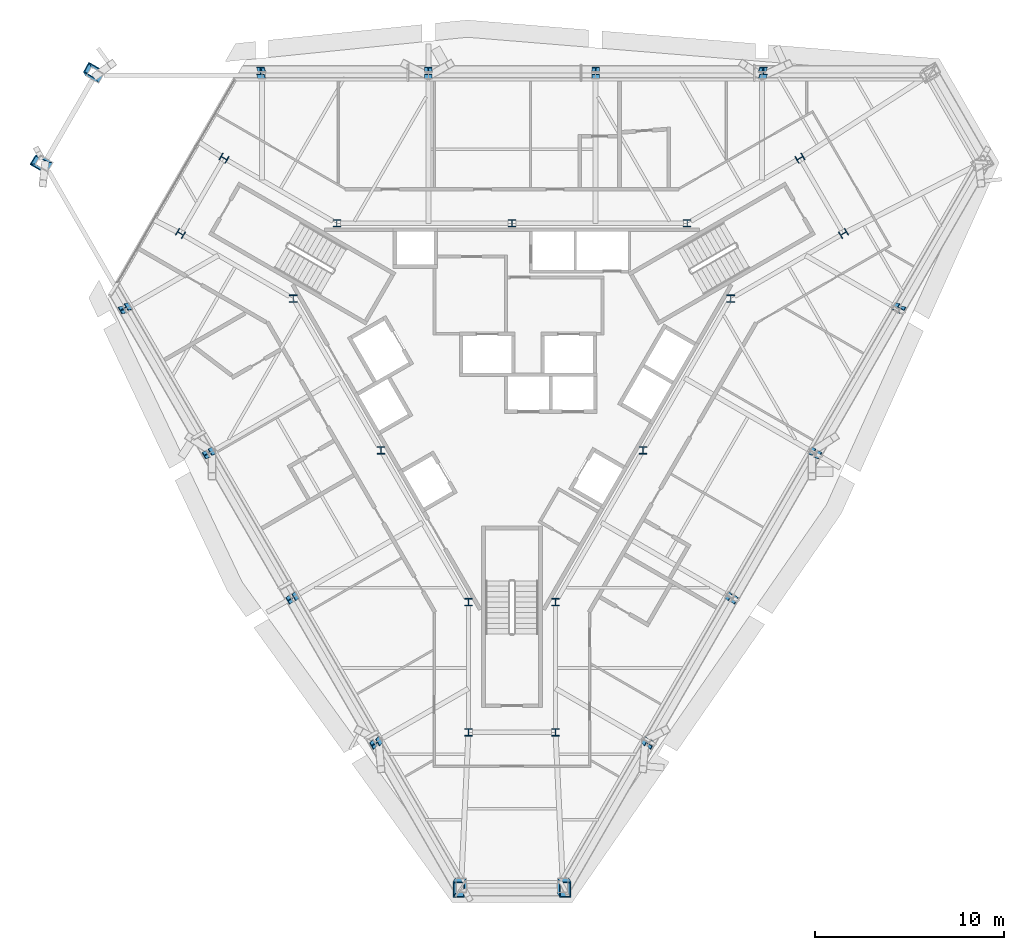
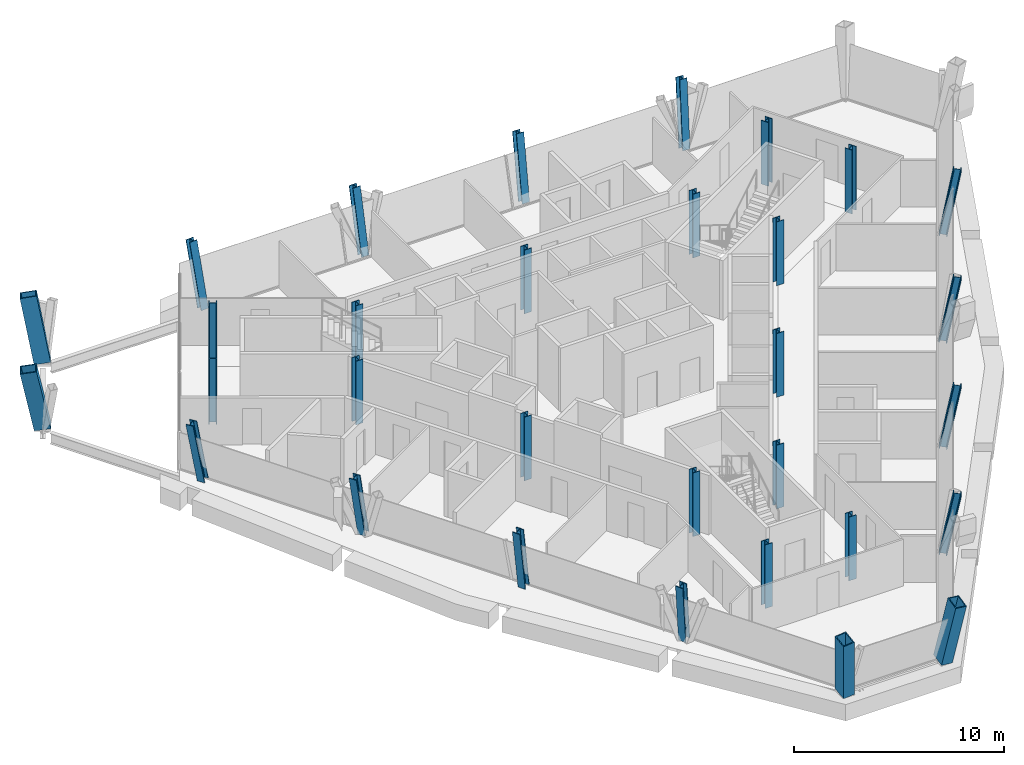
# One storey, part 1 of 11: 31 columns.
"""IFC4 building model written with IfcOpenShell, lengths in metres."""

from ifc_helpers import new_model, si_unit, direction, frame, origin, origin_2d, place, context, subcontext, project, spatial, hollow_rectangle, i_section, extrude, material, material_profile, profile_set, type_object, element, save


model = new_model("IFC4")

# Units and contexts
model_context = context("Model", 3, precision=1e-05, world=origin(), true_north=direction((0.0, 1.0)))
body_context = subcontext(model_context, "Body", "Model", "MODEL_VIEW")
ifc_project = project(units=[si_unit("LENGTHUNIT", "METRE"), si_unit("AREAUNIT", "SQUARE_METRE"), si_unit("VOLUMEUNIT", "CUBIC_METRE"), si_unit("PLANEANGLEUNIT", "RADIAN"), si_unit("MASSUNIT", "GRAM", prefix="KILO")], contexts=[model_context])

# Site, building, storey
site_placement = place(None, origin())
site = spatial("IfcSite", under=ifc_project, at=site_placement, CompositionType="ELEMENT")
building_placement = place(site_placement, origin())
building = spatial("IfcBuilding", under=site, at=building_placement, Name="Verrane Prism Tower", CompositionType="ELEMENT")
storey_placement = place(building_placement, frame((0.0, 0.0, 232.300048828125)))
storey = spatial("IfcBuildingStorey", under=building, at=storey_placement, Name="L58", CompositionType="ELEMENT", Elevation=232.300048828125)

# Columns
ifc_material_1 = material(Name="Steel A992", Category="steel")
ifc_material_profile_1 = material_profile(ifc_material_1, i_section(OverallWidth=0.4013671875, OverallDepth=0.398681640625, WebThickness=0.02490234375, FlangeThickness=0.03955078125, FilletRadius=0.01513671875, at=origin_2d()), Name="W14x211")
ifc_profile_set_1 = profile_set([ifc_material_profile_1], Name="Steel A992")
column_type_1 = type_object("IfcColumnType", Name="Core corner column W14x211", PredefinedType="COLUMN", material=ifc_profile_set_1)
for number, where, z_axis, x_axis, name in (
    (1, (17.52001953125, 7.4599609375, 0.0), (0.0, 0.0, 1.0), (0.5, -0.866025403784, 0.0), "Core corner column CK-NEm L58"),
    (2, (15.219970703125, 11.43994140625, 0.0), (0.0, 0.0, 1.0), (0.5, -0.866025403784, 0.0), "Core corner column CK-NEp L58"),
    (3, (-15.219970703125, 11.43994140625, 0.0), (0.0, 0.0, 1.0), (0.5, 0.866025403784, 0.0), "Core corner column CK-NWm L58"),
    (4, (-17.52001953125, 7.4599609375, 0.0), (0.0, 0.0, 1.0), (0.5, 0.866025403784, 0.0), "Core corner column CK-NWp L58"),
    (5, (-2.300048828125, -18.89990234375, 0.0), (0.0, 0.0, 1.0), (-1.0, 0.0, 0.0), "Core corner column CK-Sm L58"),
    (6, (2.300048828125, -18.89990234375, 0.0), (0.0, 0.0, 1.0), (-1.0, 0.0, 0.0), "Core corner column CK-Sp L58"),
):
    element("IfcColumn", number, at=place(storey_placement, frame(where, z_axis=z_axis, x_axis=x_axis)), inside=storey, type_object=column_type_1, Name=name, PredefinedType="COLUMN", context=body_context, shape_type="SweptSolid", body=[
        extrude(i_section(OverallWidth=0.4013671875, OverallDepth=0.398681640625, WebThickness=0.02490234375, FlangeThickness=0.03955078125, FilletRadius=0.01513671875, at=origin_2d()), origin(), (0.0, 0.0, 1.0), 3.699951171875),
    ])
ifc_material_2 = material(Name="Steel A992", Category="steel")
ifc_material_profile_2 = material_profile(ifc_material_2, i_section(OverallWidth=0.398681640625, OverallDepth=0.385986328125, WebThickness=0.02099609375, FlangeThickness=0.033203125, FilletRadius=0.01513671875, at=origin_2d()), Name="W14x176")
ifc_profile_set_2 = profile_set([ifc_material_profile_2], Name="Steel A992")
column_type_2 = type_object("IfcColumnType", Name="Core side column W14x176", PredefinedType="COLUMN", material=ifc_profile_set_2)
for number, where, z_axis, x_axis, name in (
    (7, (11.56005859375, 4.02001953125, 0.0), (0.0, 0.0, 1.0), (1.0, 0.0, 0.0), "Core side column CC-NEm L58"),
    (8, (9.260009765625, 8.0, 0.0), (0.0, 0.0, 1.0), (1.0, 0.0, 0.0), "Core side column CC-NEp L58"),
    (9, (0.0, 8.0, 0.0), (0.0, 0.0, 1.0), (1.0, 0.0, 0.0), "Core side column CC-N0 L58"),
    (10, (-9.260009765625, 8.0, 0.0), (0.0, 0.0, 1.0), (1.0, 0.0, 0.0), "Core side column CC-NWm L58"),
    (11, (-11.56005859375, 4.02001953125, 0.0), (0.0, 0.0, 1.0), (1.0, 0.0, 0.0), "Core side column CC-NWp L58"),
    (12, (-6.929931640625, -4.0, 0.0), (0.0, 0.0, 1.0), (1.0, 0.0, 0.0), "Core side column CC-SW0 L58"),
    (13, (-2.300048828125, -12.02001953125, 0.0), (0.0, 0.0, 1.0), (1.0, 0.0, 0.0), "Core side column CC-Sm L58"),
    (14, (2.300048828125, -12.02001953125, 0.0), (0.0, 0.0, 1.0), (1.0, 0.0, 0.0), "Core side column CC-Sp L58"),
    (15, (6.929931640625, -4.0, 0.0), (0.0, 0.0, 1.0), (1.0, 0.0, 0.0), "Core side column CC-SE0 L58"),
):
    element("IfcColumn", number, at=place(storey_placement, frame(where, z_axis=z_axis, x_axis=x_axis)), inside=storey, type_object=column_type_2, Name=name, PredefinedType="COLUMN", context=body_context, shape_type="SweptSolid", body=[
        extrude(i_section(OverallWidth=0.398681640625, OverallDepth=0.385986328125, WebThickness=0.02099609375, FlangeThickness=0.033203125, FilletRadius=0.01513671875, at=origin_2d()), origin(), (0.0, 0.0, 1.0), 3.699951171875),
    ])
ifc_material_3 = material(Name="Steel A572 Grade 50", Category="steel")
ifc_material_profile_3 = material_profile(ifc_material_3, hollow_rectangle(XDim=0.60009765625, YDim=0.800048828125, WallThickness=0.050048828125, at=origin_2d()), Name="BOX 800x600x50")
ifc_profile_set_3 = profile_set([ifc_material_profile_3], Name="Steel A572 Grade 50")
column_type_3 = type_object("IfcColumnType", Name="Megacolumn BOX 800x600x50", PredefinedType="COLUMN", material=ifc_profile_set_3)
column_1_placement = place(storey_placement, frame((-22.037109375, 15.84228515625, 0.06494140625), z_axis=(-0.105639145209, 0.18481839067, 0.977078570776), x_axis=(0.496911060929, 0.860913522908, -0.109120592015)))
element("IfcColumn", 16, at=column_1_placement, inside=storey, type_object=column_type_3, Name="Megacolumn MC-NW.a L58", PredefinedType="COLUMN", context=body_context, shape_type="SweptSolid", body=[
    extrude(hollow_rectangle(XDim=0.60009765625, YDim=0.800048828125, WallThickness=0.050048828125, at=origin_2d()), origin(), (0.0, 0.0, 1.0), 3.65380859375),
])
column_2_placement = place(storey_placement, frame((-24.734130859375, 11.159912109375, 0.06494140625), z_axis=(-0.213902075885, 0.0, 0.976855107952), x_axis=(0.497026354192, 0.860883256594, 0.108833918219)))
element("IfcColumn", 17, at=column_2_placement, inside=storey, type_object=column_type_3, Name="Megacolumn MC-NW.b L58", PredefinedType="COLUMN", context=body_context, shape_type="SweptSolid", body=[
    extrude(hollow_rectangle(XDim=0.60009765625, YDim=0.800048828125, WallThickness=0.050048828125, at=origin_2d()), origin(), (0.0, 0.0, 1.0), 3.654541015625),
])
for number, where, z_axis, x_axis, name in (
    (18, (-2.697265625, -27.002197265625, 0.06494140625), (-0.10821355543, -0.184831424614, 0.976794333981), (-0.99391563537, -0.000177409815, -0.110143898123), "Megacolumn MC-S.a L58"),
    (19, (2.697265625, -27.002197265625, 0.06494140625), (0.10821355543, -0.184831424614, 0.976794333981), (-0.99391563537, 0.000177409815, 0.110143898123), "Megacolumn MC-S.b L58"),
):
    element("IfcColumn", number, at=place(storey_placement, frame(where, z_axis=z_axis, x_axis=x_axis)), inside=storey, type_object=column_type_3, Name=name, PredefinedType="COLUMN", context=body_context, shape_type="SweptSolid", body=[
        extrude(hollow_rectangle(XDim=0.60009765625, YDim=0.800048828125, WallThickness=0.050048828125, at=origin_2d()), origin(), (0.0, 0.0, 1.0), 3.65478515625),
    ])
ifc_material_4 = material(Name="Steel A992", Category="steel")
ifc_material_profile_4 = material_profile(ifc_material_4, i_section(OverallWidth=0.4013671875, OverallDepth=0.398681640625, WebThickness=0.02490234375, FlangeThickness=0.03955078125, FilletRadius=0.01513671875, at=origin_2d()), Name="W14x211")
ifc_profile_set_4 = profile_set([ifc_material_profile_4], Name="Steel A992")
column_type_4 = type_object("IfcColumnType", Name="Perimeter column W14x211", PredefinedType="COLUMN", material=ifc_profile_set_4)
column_3_placement = place(storey_placement, frame((13.222412109375, 15.836669921875, 0.034912109375), z_axis=(0.063574032022, 0.185512190953, 0.980583280227), x_axis=(0.997903164176, 0.000145439702, -0.064724444963)))
element("IfcColumn", 20, at=column_3_placement, inside=storey, type_object=column_type_4, Name="Perimeter column PC-N1 L58", PredefinedType="COLUMN", context=body_context, shape_type="SweptSolid", body=[
    extrude(i_section(OverallWidth=0.4013671875, OverallDepth=0.398681640625, WebThickness=0.02490234375, FlangeThickness=0.03955078125, FilletRadius=0.01513671875, at=origin_2d()), origin(), (0.0, 0.0, 1.0), 3.701904296875),
])
for number, where, z_axis, x_axis, name in (
    (21, (4.410888671875, 15.836669921875, 0.034912109375), (0.021207500322, 0.18584641248, 0.982349913676), (0.999766338849, 0.000170255322, -0.02161570536), "Perimeter column PC-N2 L58"),
    (22, (-4.410888671875, 15.836669921875, 0.034912109375), (-0.021207500322, 0.18584641248, 0.982349913676), (0.999766338849, -0.000170255322, 0.02161570536), "Perimeter column PC-N3 L58"),
):
    element("IfcColumn", number, at=place(storey_placement, frame(where, z_axis=z_axis, x_axis=x_axis)), inside=storey, type_object=column_type_4, Name=name, PredefinedType="COLUMN", context=body_context, shape_type="SweptSolid", body=[
        extrude(i_section(OverallWidth=0.4013671875, OverallDepth=0.398681640625, WebThickness=0.02490234375, FlangeThickness=0.03955078125, FilletRadius=0.01513671875, at=origin_2d()), origin(), (0.0, 0.0, 1.0), 3.6953125),
    ])
column_4_placement = place(storey_placement, frame((-13.222412109375, 15.836669921875, 0.034912109375), z_axis=(-0.063574032022, 0.185512190953, 0.980583280227), x_axis=(0.997903164176, -0.000145439702, 0.064724444963)))
element("IfcColumn", 23, at=column_4_placement, inside=storey, type_object=column_type_4, Name="Perimeter column PC-N4 L58", PredefinedType="COLUMN", context=body_context, shape_type="SweptSolid", body=[
    extrude(i_section(OverallWidth=0.4013671875, OverallDepth=0.398681640625, WebThickness=0.02490234375, FlangeThickness=0.03955078125, FilletRadius=0.01513671875, at=origin_2d()), origin(), (0.0, 0.0, 1.0), 3.701904296875),
])
column_5_placement = place(storey_placement, frame((-20.327880859375, 3.528564453125, 0.0400390625), z_axis=(-0.19341182923, -0.037095396991, 0.980416134015), x_axis=(-0.498932099925, 0.864144788984, -0.065730840066)))
element("IfcColumn", 24, at=column_5_placement, inside=storey, type_object=column_type_4, Name="Perimeter column PC-SW1 L58", PredefinedType="COLUMN", context=body_context, shape_type="SweptSolid", body=[
    extrude(i_section(OverallWidth=0.4013671875, OverallDepth=0.398681640625, WebThickness=0.02490234375, FlangeThickness=0.03955078125, FilletRadius=0.01513671875, at=origin_2d()), origin(), (0.0, 0.0, 1.0), 3.692138671875),
])
column_6_placement = place(storey_placement, frame((-15.916015625, -4.1025390625, 0.034912109375), z_axis=(-0.172603021318, -0.074378492921, 0.982179228462), x_axis=(-0.499986606679, 0.865745882945, -0.022303795753)))
element("IfcColumn", 25, at=column_6_placement, inside=storey, type_object=column_type_4, Name="Perimeter column PC-SW2 L58", PredefinedType="COLUMN", context=body_context, shape_type="SweptSolid", body=[
    extrude(i_section(OverallWidth=0.4013671875, OverallDepth=0.398681640625, WebThickness=0.02490234375, FlangeThickness=0.03955078125, FilletRadius=0.01513671875, at=origin_2d()), origin(), (0.0, 0.0, 1.0), 3.696044921875),
])
column_7_placement = place(storey_placement, frame((-11.515380859375, -11.73388671875, 0.034912109375), z_axis=(-0.148684508118, -0.11154642209, 0.982573311649), x_axis=(-0.499994347872, 0.865733149293, 0.022622252559)))
element("IfcColumn", 26, at=column_7_placement, inside=storey, type_object=column_type_4, Name="Perimeter column PC-SW3 L58", PredefinedType="COLUMN", context=body_context, shape_type="SweptSolid", body=[
    extrude(i_section(OverallWidth=0.4013671875, OverallDepth=0.398681640625, WebThickness=0.02490234375, FlangeThickness=0.03955078125, FilletRadius=0.01513671875, at=origin_2d()), origin(), (0.0, 0.0, 1.0), 3.694580078125),
])
for number, where, z_axis, x_axis, name in (
    (27, (-7.1044921875, -19.365234375, 0.034912109375), (-0.129888053343, -0.148415232525, 0.98035810414), (-0.498873509398, 0.864253236346, 0.064742297498), "Perimeter column PC-SW4 L58"),
    (28, (7.1044921875, -19.365234375, 0.034912109375), (0.129888053343, -0.148415232525, 0.98035810414), (-0.498873509398, -0.864253236346, -0.064742297498), "Perimeter column PC-SE1 L58"),
):
    element("IfcColumn", number, at=place(storey_placement, frame(where, z_axis=z_axis, x_axis=x_axis)), inside=storey, type_object=column_type_4, Name=name, PredefinedType="COLUMN", context=body_context, shape_type="SweptSolid", body=[
        extrude(i_section(OverallWidth=0.4013671875, OverallDepth=0.398681640625, WebThickness=0.02490234375, FlangeThickness=0.03955078125, FilletRadius=0.01513671875, at=origin_2d()), origin(), (0.0, 0.0, 1.0), 3.702880859375),
    ])
column_8_placement = place(storey_placement, frame((11.515380859375, -11.73388671875, 0.034912109375), z_axis=(0.148684508118, -0.11154642209, 0.982573311649), x_axis=(-0.499994347872, -0.865733149293, -0.022622252559)))
element("IfcColumn", 29, at=column_8_placement, inside=storey, type_object=column_type_4, Name="Perimeter column PC-SE2 L58", PredefinedType="COLUMN", context=body_context, shape_type="SweptSolid", body=[
    extrude(i_section(OverallWidth=0.4013671875, OverallDepth=0.398681640625, WebThickness=0.02490234375, FlangeThickness=0.03955078125, FilletRadius=0.01513671875, at=origin_2d()), origin(), (0.0, 0.0, 1.0), 3.694580078125),
])
column_9_placement = place(storey_placement, frame((15.916015625, -4.1025390625, 0.034912109375), z_axis=(0.172603021318, -0.074378492921, 0.982179228462), x_axis=(-0.499986606679, -0.865745882945, 0.022303795753)))
element("IfcColumn", 30, at=column_9_placement, inside=storey, type_object=column_type_4, Name="Perimeter column PC-SE3 L58", PredefinedType="COLUMN", context=body_context, shape_type="SweptSolid", body=[
    extrude(i_section(OverallWidth=0.4013671875, OverallDepth=0.398681640625, WebThickness=0.02490234375, FlangeThickness=0.03955078125, FilletRadius=0.01513671875, at=origin_2d()), origin(), (0.0, 0.0, 1.0), 3.696044921875),
])
column_10_placement = place(storey_placement, frame((20.327880859375, 3.528564453125, 0.0400390625), z_axis=(0.19341182923, -0.037095396991, 0.980416134015), x_axis=(-0.498932099925, -0.864144788984, 0.065730840066)))
element("IfcColumn", 31, at=column_10_placement, inside=storey, type_object=column_type_4, Name="Perimeter column PC-SE4 L58", PredefinedType="COLUMN", context=body_context, shape_type="SweptSolid", body=[
    extrude(i_section(OverallWidth=0.4013671875, OverallDepth=0.398681640625, WebThickness=0.02490234375, FlangeThickness=0.03955078125, FilletRadius=0.01513671875, at=origin_2d()), origin(), (0.0, 0.0, 1.0), 3.692138671875),
])

save(model, "model.ifc")
